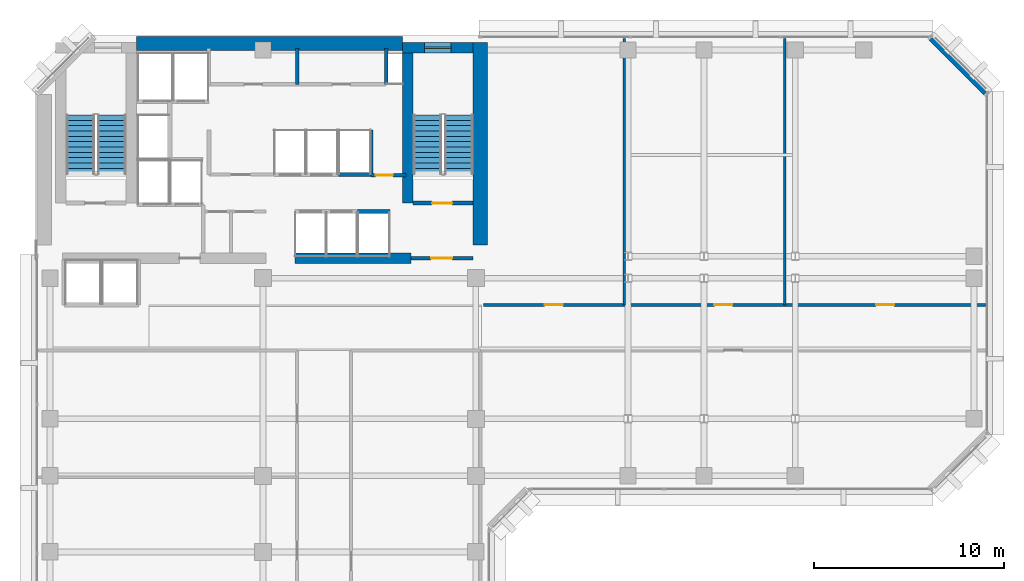
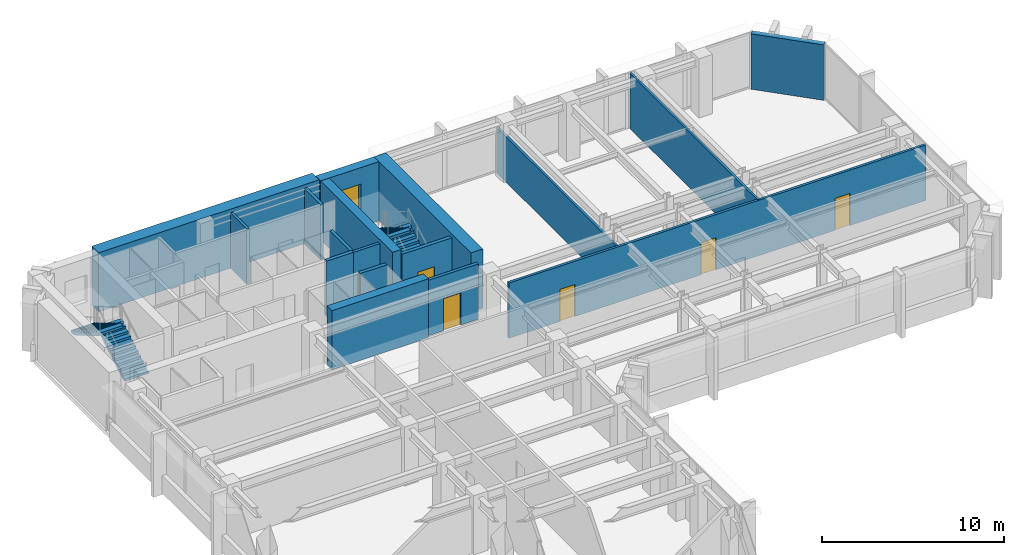
# One storey, part 8 of 11: 17 walls, 6 doors, 4 stair flights, 1 window, 7 openings, 2 elements without a shape of their own.
"""IFC4 building model written with IfcOpenShell, lengths in metres."""

from ifc_helpers import new_model, si_unit, direction, frame, frame_2d, origin, place, context, subcontext, project, spatial, polyline, rectangle, outline, extrude, material, layer, layer_set, type_object, element, fill, aggregate, save


model = new_model("IFC4")

# Units and contexts
model_context = context("Model", 3, precision=1e-05, world=origin(), true_north=direction((0.0, 1.0)))
body_context = subcontext(model_context, "Body", "Model", "MODEL_VIEW")
ifc_project = project(units=[si_unit("LENGTHUNIT", "METRE"), si_unit("AREAUNIT", "SQUARE_METRE"), si_unit("VOLUMEUNIT", "CUBIC_METRE"), si_unit("PLANEANGLEUNIT", "RADIAN"), si_unit("MASSUNIT", "GRAM", prefix="KILO")], contexts=[model_context])

# Site, building, storey
site_placement = place(None, origin())
site = spatial("IfcSite", under=ifc_project, at=site_placement, CompositionType="ELEMENT")
building_placement = place(site_placement, origin())
building = spatial("IfcBuilding", under=site, at=building_placement, Name="Kefirva Bronze Tower", CompositionType="ELEMENT")
storey_placement = place(building_placement, frame((0.0, 0.0, 162.68994140625)))
storey = spatial("IfcBuildingStorey", under=building, at=storey_placement, Name="L39", CompositionType="ELEMENT", Elevation=162.68994140625)

# Walls
ifc_material_1 = material(Name="Gypsum acoustic partition")
ifc_layer_1 = layer(ifc_material_1, 0.1298828125, Name="Gypsum acoustic partition")
ifc_layer_set_1 = layer_set([ifc_layer_1], Name="Gypsum acoustic partition")
wall_type_1 = type_object("IfcWallType", Name="Acoustic Office Partition 130mm", PredefinedType="PARTITIONING", material=ifc_layer_set_1)
wall_1_placement = place(storey_placement, frame((30.994873046875, 31.800048828125, 0.0), z_axis=(0.0, 0.0, 1.0), x_axis=(0.0, 1.0, 0.0)))
element("IfcWall", 1, at=wall_1_placement, inside=storey, type_object=wall_type_1, Name="L39 Partition W-L39-END1", PredefinedType="PARTITIONING", context=body_context, shape_type="SweptSolid", body=[
    extrude(rectangle(XDim=14.010009765625, YDim=0.1298828125, at=frame_2d((7.0048828125, 0.0))), origin(), (0.0, 0.0, 1.0), 3.045166015625),
])
wall_2_placement = place(storey_placement, frame((39.446044921875, 31.800048828125, 0.0), z_axis=(0.0, 0.0, 1.0), x_axis=(0.0, 1.0, 0.0)))
element("IfcWall", 2, at=wall_2_placement, inside=storey, type_object=wall_type_1, Name="L39 Partition W-L39-END2", PredefinedType="PARTITIONING", context=body_context, shape_type="SweptSolid", body=[
    extrude(rectangle(XDim=14.010009765625, YDim=0.1298828125, at=frame_2d((7.0048828125, 0.0))), origin(), (0.0, 0.0, 1.0), 3.7099609375),
])

# Wall, opening, door
ifc_material_2 = material(Name="Gypsum fireboard shaftwall")
ifc_layer_2 = layer(ifc_material_2, 0.219970703125, Name="Gypsum fireboard shaftwall")
ifc_layer_set_2 = layer_set([ifc_layer_2], Name="Gypsum fireboard shaftwall")
wall_type_2 = type_object("IfcWallType", Name="Fire-Rated Shaft Enclosure Wall 220mm", PredefinedType="PARTITIONING", material=ifc_layer_set_2)
wall_3_placement = place(storey_placement, frame((19.89990234375, 37.14990234375, 0.0), z_axis=(0.0, 0.0, 1.0), x_axis=(1.0, 0.0, 0.0)))
wall_3 = element("IfcWall", 3, at=wall_3_placement, inside=storey, type_object=wall_type_2, Name="L39 Partition W-L39-ST2S", PredefinedType="PARTITIONING", context=body_context, shape_type="SweptSolid", body=[
    extrude(rectangle(XDim=3.150146484375, YDim=0.219970703125, at=frame_2d((1.5751953125, 0.0))), origin(), (0.0, 0.0, 1.0), 3.7099609375),
])
opening_1_placement = place(wall_3_placement, frame((2.050048828125, 0.0, 0.0), z_axis=(0.0, 0.0, 1.0), x_axis=(-1.0, 0.0, 0.0)))
opening_1 = element("IfcOpeningElement", 4, at=opening_1_placement, cuts=wall_3, Name="Opening L39-D003", PredefinedType="OPENING", context=body_context, shape_type="SweptSolid", body=[
    extrude(rectangle(XDim=1.050048828125, YDim=2.14990234375, at=frame_2d((0.52490234375, 1.074951171875))), frame((0.0, 0.1201171875, 0.0), z_axis=(0.0, -1.0, 0.0), x_axis=(1.0, 0.0, 0.0)), (0.0, 0.0, 1.0), 0.239990234375),
])
ifc_material_3 = material(Name="Painted galvanized steel", Category="steel")
door_type_1 = type_object("IfcDoorType", Name="Fire Stair Enclosure Door 1050x2150 FD90S", OperationType="NOTDEFINED", PredefinedType="DOOR", material=ifc_material_3)
door_1_placement = place(opening_1_placement, origin())
door_1 = element("IfcDoor", 5, at=door_1_placement, inside=storey, type_object=door_type_1, Name="Door L39-D003", OperationType="SINGLE_SWING_LEFT", OverallHeight=2.14990234375, OverallWidth=1.050048828125, PredefinedType="DOOR", context=body_context, shape_type="SweptSolid", body=[
    extrude(rectangle(XDim=1.050048828125, YDim=2.14990234375, at=frame_2d((0.52490234375, 1.074951171875))), frame((0.0, 0.02490234375, 0.0), z_axis=(0.0, -1.0, 0.0), x_axis=(1.0, 0.0, 0.0)), (0.0, 0.0, 1.0), 0.050048828125),
])
fill(opening_1, door_1)

# Walls
wall_4_placement = place(storey_placement, frame((17.679931640625, 38.64990234375, 0.0), z_axis=(0.0, 0.0, 1.0), x_axis=(0.0, 1.0, 0.0)))
element("IfcWall", 6, at=wall_4_placement, inside=storey, type_object=wall_type_2, Name="L39 Partition W-L39-HP2E", PredefinedType="PARTITIONING", context=body_context, shape_type="SweptSolid", body=[
    extrude(rectangle(XDim=2.35009765625, YDim=0.199951171875, at=frame_2d((1.175048828125, 0.0))), origin(), (0.0, 0.0, 1.0), 3.7099609375),
])
wall_5_placement = place(storey_placement, frame((16.97998046875, 36.699951171875, 0.0), z_axis=(0.0, 0.0, 1.0), x_axis=(1.0, 0.0, 0.0)))
element("IfcWall", 7, at=wall_5_placement, inside=storey, type_object=wall_type_2, Name="L39 Partition W-L39-HPS", PredefinedType="PARTITIONING", context=body_context, shape_type="SweptSolid", body=[
    extrude(rectangle(XDim=1.699951171875, YDim=0.219970703125, at=frame_2d((0.85009765625, 0.0))), origin(), (0.0, 0.0, 1.0), 3.7099609375),
])
wall_6_placement = place(storey_placement, frame((15.97998046875, 38.64990234375, 0.0), z_axis=(0.0, 0.0, 1.0), x_axis=(1.0, 0.0, 0.0)))
element("IfcWall", 8, at=wall_6_placement, inside=storey, type_object=wall_type_2, Name="L39 Partition W-L39-HPN", PredefinedType="PARTITIONING", context=body_context, shape_type="SweptSolid", body=[
    extrude(rectangle(XDim=1.719970703125, YDim=0.219970703125, at=frame_2d((0.85986328125, 0.0))), origin(), (0.0, 0.0, 1.0), 3.7099609375),
])

# Wall, opening, door
ifc_material_4 = material(Name="Gypsum fireboard barrier")
ifc_layer_3 = layer(ifc_material_4, 0.199951171875, Name="Gypsum fireboard barrier")
ifc_layer_set_3 = layer_set([ifc_layer_3], Name="Gypsum fireboard barrier")
wall_type_3 = type_object("IfcWallType", Name="Firefighting Lobby Barrier Wall 200mm", PredefinedType="PARTITIONING", material=ifc_layer_set_3)
wall_7_placement = place(storey_placement, frame((19.800048828125, 34.25, 0.0), z_axis=(0.0, 0.0, 1.0), x_axis=(1.0, 0.0, 0.0)))
wall_7 = element("IfcWall", 9, at=wall_7_placement, inside=storey, type_object=wall_type_3, Name="L39 Partition W-L39-ST2F", PredefinedType="PARTITIONING", context=body_context, shape_type="SweptSolid", body=[
    extrude(rectangle(XDim=3.25, YDim=0.199951171875, at=frame_2d((1.625, 0.0))), origin(), (0.0, 0.0, 1.0), 3.7099609375),
])
opening_2_placement = place(wall_7_placement, frame((2.150146484375, 0.0, 0.0), z_axis=(0.0, 0.0, 1.0), x_axis=(-1.0, 0.0, 0.0)))
opening_2 = element("IfcOpeningElement", 10, at=opening_2_placement, cuts=wall_7, Name="Opening L39-D004", PredefinedType="OPENING", context=body_context, shape_type="SweptSolid", body=[
    extrude(rectangle(XDim=1.10009765625, YDim=2.14990234375, at=frame_2d((0.550048828125, 1.074951171875))), frame((0.0, 0.10986328125, 0.0), z_axis=(0.0, -1.0, 0.0), x_axis=(1.0, 0.0, 0.0)), (0.0, 0.0, 1.0), 0.219970703125),
])
door_type_2 = type_object("IfcDoorType", Name="Firefighting Lobby Smoke Door 1100x2150 FD60S", OperationType="NOTDEFINED", PredefinedType="DOOR", material=ifc_material_3)
door_2_placement = place(opening_2_placement, origin())
door_2 = element("IfcDoor", 11, at=door_2_placement, inside=storey, type_object=door_type_2, Name="Door L39-D004", OperationType="SINGLE_SWING_RIGHT", OverallHeight=2.14990234375, OverallWidth=1.10009765625, PredefinedType="DOOR", context=body_context, shape_type="SweptSolid", body=[
    extrude(rectangle(XDim=1.10009765625, YDim=2.14990234375, at=frame_2d((0.550048828125, 1.074951171875))), frame((0.0, 0.02490234375, 0.0), z_axis=(0.0, -1.0, 0.0), x_axis=(1.0, 0.0, 0.0)), (0.0, 0.0, 1.0), 0.050048828125),
])
fill(opening_2, door_2)

wall_8_placement = place(storey_placement, frame((17.679931640625, 38.6201171875, 0.0), z_axis=(0.0, 0.0, 1.0), x_axis=(1.0, 0.0, 0.0)))
wall_8 = element("IfcWall", 12, at=wall_8_placement, inside=storey, type_object=wall_type_3, Name="L39 Partition W-L39-CPASS", PredefinedType="PARTITIONING", context=body_context, shape_type="SweptSolid", body=[
    extrude(rectangle(XDim=1.840087890625, YDim=0.179931640625, at=frame_2d((0.919921875, 0.0))), origin(), (0.0, 0.0, 1.0), 3.7099609375),
])
opening_3_placement = place(wall_8_placement, frame((0.239990234375, 0.0, 0.0)))
opening_3 = element("IfcOpeningElement", 13, at=opening_3_placement, cuts=wall_8, Name="Opening L39-D-CPAS", PredefinedType="OPENING", context=body_context, shape_type="SweptSolid", body=[
    extrude(rectangle(XDim=0.919921875, YDim=2.10009765625, at=frame_2d((0.4599609375, 1.050048828125))), frame((0.0, 0.10009765625, 0.0), z_axis=(0.0, -1.0, 0.0), x_axis=(1.0, 0.0, 0.0)), (0.0, 0.0, 1.0), 0.199951171875),
])
ifc_material_5 = material(Name="Moisture-resistant timber", Category="wood")
door_type_3 = type_object("IfcDoorType", Name="Accessible Sanitary & WC Door 920x2100", OperationType="NOTDEFINED", PredefinedType="DOOR", material=ifc_material_5)
door_3_placement = place(opening_3_placement, origin())
door_3 = element("IfcDoor", 14, at=door_3_placement, inside=storey, type_object=door_type_3, Name="Door L39-D-CPAS", OperationType="SINGLE_SWING_LEFT", OverallHeight=2.10009765625, OverallWidth=0.919921875, PredefinedType="DOOR", context=body_context, shape_type="SweptSolid", body=[
    extrude(rectangle(XDim=0.919921875, YDim=2.10009765625, at=frame_2d((0.4599609375, 1.050048828125))), frame((0.0, 0.02490234375, 0.0), z_axis=(0.0, -1.0, 0.0), x_axis=(1.0, 0.0, 0.0)), (0.0, 0.0, 1.0), 0.050048828125),
])
fill(opening_3, door_3)

# Wall
ifc_material_6 = material(Name="Precast concrete C40/50", Category="concrete")
ifc_layer_4 = layer(ifc_material_6, 0.320068359375, Name="Precast concrete C40/50")
ifc_layer_set_4 = layer_set([ifc_layer_4], Name="Precast concrete C40/50")
wall_type_4 = type_object("IfcWallType", Name="Precast Insulated Exterior Wall 320mm", PredefinedType="SOLIDWALL", material=ifc_layer_set_4)
wall_9_placement = place(storey_placement, frame((50.048095703125, 42.92578125, 0.0), z_axis=(0.0, 0.0, 1.0), x_axis=(-0.707136318428, 0.707077242712, 0.0)))
element("IfcWall", 15, at=wall_9_placement, inside=storey, type_object=wall_type_4, Name="L39 Exterior Facade Wall 7", PredefinedType="SOLIDWALL", context=body_context, shape_type="SweptSolid", body=[
    extrude(rectangle(XDim=4.132568359375, YDim=0.320068359375, at=frame_2d((2.06640625, 0.0))), origin(), (0.0, 0.0, 1.0), 3.7099609375),
])

# Wall, openings, doors
ifc_layer_5 = layer(ifc_material_1, 0.159912109375, Name="Gypsum acoustic partition")
ifc_layer_set_5 = layer_set([ifc_layer_5], Name="Gypsum acoustic partition")
wall_type_5 = type_object("IfcWallType", Name="Protected Corridor Partition 160mm", PredefinedType="PARTITIONING", material=ifc_layer_set_5)
wall_10_placement = place(storey_placement, frame((23.60009765625, 31.800048828125, 0.0), z_axis=(0.0, 0.0, 1.0), x_axis=(1.0, 0.0, 0.0)))
wall_10 = element("IfcWall", 16, at=wall_10_placement, inside=storey, type_object=wall_type_5, Name="L39 Partition W-L39-EWN", PredefinedType="PARTITIONING", context=body_context, shape_type="SweptSolid", body=[
    extrude(rectangle(XDim=26.409912109375, YDim=0.159912109375, at=frame_2d((13.205078125, 0.0))), origin(), (0.0, 0.0, 1.0), 3.7099609375),
])
opening_4_placement = place(wall_10_placement, frame((3.222412109375, 0.0, 0.0)))
opening_4 = element("IfcOpeningElement", 17, at=opening_4_placement, cuts=wall_10, Name="Opening L39-D-EN1", PredefinedType="OPENING", context=body_context, shape_type="SweptSolid", body=[
    extrude(rectangle(XDim=0.949951171875, YDim=2.14990234375, at=frame_2d((0.47509765625, 1.074951171875))), frame((0.0, 0.08984375, 0.0), z_axis=(0.0, -1.0, 0.0), x_axis=(1.0, 0.0, 0.0)), (0.0, 0.0, 1.0), 0.179931640625),
])
opening_5_placement = place(wall_10_placement, frame((12.1455078125, 0.0, 0.0)))
opening_5 = element("IfcOpeningElement", 18, at=opening_5_placement, cuts=wall_10, Name="Opening L39-D-EN2", PredefinedType="OPENING", context=body_context, shape_type="SweptSolid", body=[
    extrude(rectangle(XDim=0.949951171875, YDim=2.14990234375, at=frame_2d((0.47509765625, 1.074951171875))), frame((0.0, 0.08984375, 0.0), z_axis=(0.0, -1.0, 0.0), x_axis=(1.0, 0.0, 0.0)), (0.0, 0.0, 1.0), 0.179931640625),
])
opening_6_placement = place(wall_10_placement, frame((20.653076171875, 0.0, 0.0)))
opening_6 = element("IfcOpeningElement", 19, at=opening_6_placement, cuts=wall_10, Name="Opening L39-D-EN3", PredefinedType="OPENING", context=body_context, shape_type="SweptSolid", body=[
    extrude(rectangle(XDim=0.949951171875, YDim=2.14990234375, at=frame_2d((0.47509765625, 1.074951171875))), frame((0.0, 0.08984375, 0.0), z_axis=(0.0, -1.0, 0.0), x_axis=(1.0, 0.0, 0.0)), (0.0, 0.0, 1.0), 0.179931640625),
])
ifc_material_7 = material(Name="Acoustic hardwood oak", Category="wood")
door_type_4 = type_object("IfcDoorType", Name="Office & Meeting Room Door 950x2150", OperationType="NOTDEFINED", PredefinedType="DOOR", material=ifc_material_7)
door_4_placement = place(opening_4_placement, origin())
door_4 = element("IfcDoor", 20, at=door_4_placement, inside=storey, type_object=door_type_4, Name="Door L39-D-EN1", OperationType="SINGLE_SWING_RIGHT", OverallHeight=2.14990234375, OverallWidth=0.949951171875, PredefinedType="DOOR", context=body_context, shape_type="SweptSolid", body=[
    extrude(rectangle(XDim=0.949951171875, YDim=2.14990234375, at=frame_2d((0.47509765625, 1.074951171875))), frame((0.0, 0.02490234375, 0.0), z_axis=(0.0, -1.0, 0.0), x_axis=(1.0, 0.0, 0.0)), (0.0, 0.0, 1.0), 0.050048828125),
])
fill(opening_4, door_4)
door_5_placement = place(opening_5_placement, origin())
door_5 = element("IfcDoor", 21, at=door_5_placement, inside=storey, type_object=door_type_4, Name="Door L39-D-EN2", OperationType="SINGLE_SWING_LEFT", OverallHeight=2.14990234375, OverallWidth=0.949951171875, PredefinedType="DOOR", context=body_context, shape_type="SweptSolid", body=[
    extrude(rectangle(XDim=0.949951171875, YDim=2.14990234375, at=frame_2d((0.47509765625, 1.074951171875))), frame((0.0, 0.02490234375, 0.0), z_axis=(0.0, -1.0, 0.0), x_axis=(1.0, 0.0, 0.0)), (0.0, 0.0, 1.0), 0.050048828125),
])
fill(opening_5, door_5)
door_6_placement = place(opening_6_placement, origin())
door_6 = element("IfcDoor", 22, at=door_6_placement, inside=storey, type_object=door_type_4, Name="Door L39-D-EN3", OperationType="SINGLE_SWING_RIGHT", OverallHeight=2.14990234375, OverallWidth=0.949951171875, PredefinedType="DOOR", context=body_context, shape_type="SweptSolid", body=[
    extrude(rectangle(XDim=0.949951171875, YDim=2.14990234375, at=frame_2d((0.47509765625, 1.074951171875))), frame((0.0, 0.02490234375, 0.0), z_axis=(0.0, -1.0, 0.0), x_axis=(1.0, 0.0, 0.0)), (0.0, 0.0, 1.0), 0.050048828125),
])
fill(opening_6, door_6)

# Wall, opening, window
ifc_material_8 = material(Name="Concrete C50/60", Category="concrete")
ifc_layer_6 = layer(ifc_material_8, 0.550048828125, Name="Concrete C50/60")
ifc_layer_set_6 = layer_set([ifc_layer_6], Name="Concrete C50/60")
wall_type_6 = type_object("IfcWallType", Name="RC Rear Core Exterior Wall 550mm", PredefinedType="SHEAR", material=ifc_layer_set_6)
wall_11_placement = place(storey_placement, frame((19.35009765625, 45.320068359375, 0.0), z_axis=(0.0, 0.0, 1.0), x_axis=(1.0, 0.0, 0.0)))
wall_11 = element("IfcWall", 23, at=wall_11_placement, inside=storey, type_object=wall_type_6, Name="L39 Stair 2 North Shear Wall", PredefinedType="SHEAR", context=body_context, shape_type="SweptSolid", body=[
    extrude(rectangle(XDim=3.68994140625, YDim=0.550048828125, at=frame_2d((1.844970703125, 0.0))), origin(), (0.0, 0.0, 1.0), 3.9599609375),
])
opening_7_placement = place(wall_11_placement, frame((1.14990234375, 0.0, 1.050048828125)))
opening_7 = element("IfcOpeningElement", 24, at=opening_7_placement, cuts=wall_11, Name="Opening WN-03", PredefinedType="OPENING", context=body_context, shape_type="SweptSolid", body=[
    extrude(rectangle(XDim=1.39990234375, YDim=1.800048828125, at=frame_2d((0.699951171875, 0.89990234375))), frame((0.0, 0.28515625, 0.0), z_axis=(0.0, -1.0, 0.0), x_axis=(1.0, 0.0, 0.0)), (0.0, 0.0, 1.0), 0.570068359375),
])
ifc_material_9 = material(Name="Laminated low-E double glazing", Category="glass")
window_type = type_object("IfcWindowType", Name="Rear-Core Stair Daylight Window 1400x1800", PartitioningType="SINGLE_PANEL", PredefinedType="WINDOW", material=ifc_material_9)
window_placement = place(opening_7_placement, origin())
window = element("IfcWindow", 25, at=window_placement, inside=storey, type_object=window_type, Name="L39 Stair 2 Daylight Window", OverallHeight=1.800048828125, OverallWidth=1.39990234375, PartitioningType="SINGLE_PANEL", PredefinedType="WINDOW", context=body_context, shape_type="SweptSolid", body=[
    extrude(rectangle(XDim=1.39990234375, YDim=1.800048828125, at=frame_2d((0.699951171875, 0.89990234375))), frame((0.0, 0.030029296875, 0.0), z_axis=(0.0, -1.0, 0.0), x_axis=(1.0, 0.0, 0.0)), (0.0, 0.0, 1.0), 0.06005859375),
])
fill(opening_7, window)

# Walls
ifc_material_10 = material(Name="Concrete C60/75", Category="concrete")
ifc_layer_7 = layer(ifc_material_10, 0.75, Name="Concrete C60/75")
ifc_layer_set_7 = layer_set([ifc_layer_7], Name="Concrete C60/75")
wall_type_7 = type_object("IfcWallType", Name="RC Rear Core Exterior Wall 750mm", PredefinedType="SHEAR", material=ifc_layer_set_7)
wall_12_placement = place(storey_placement, frame((5.360107421875, 45.550048828125, 0.0), z_axis=(0.0, 0.0, 1.0), x_axis=(1.0, 0.0, 0.0)))
element("IfcWall", 26, at=wall_12_placement, inside=storey, type_object=wall_type_7, Name="L39 Rear Core North Shear Wall", PredefinedType="SHEAR", context=body_context, shape_type="SweptSolid", body=[
    extrude(rectangle(XDim=13.97998046875, YDim=0.75, at=frame_2d((6.989990234375, 0.0))), origin(), (0.0, 0.0, 1.0), 3.9599609375),
])
ifc_layer_8 = layer(ifc_material_8, 0.550048828125, Name="Concrete C50/60")
ifc_layer_set_8 = layer_set([ifc_layer_8], Name="Concrete C50/60")
wall_type_8 = type_object("IfcWallType", Name="RC Rear Core Interior Wall 550mm", PredefinedType="SHEAR", material=ifc_layer_set_8)
wall_13_placement = place(storey_placement, frame((19.6201171875, 37.14990234375, 0.0), z_axis=(0.0, 0.0, 1.0), x_axis=(0.0, 1.0, 0.0)))
element("IfcWall", 27, at=wall_13_placement, inside=storey, type_object=wall_type_8, Name="L39 Stair 2 West Shear Wall", PredefinedType="SHEAR", context=body_context, shape_type="SweptSolid", body=[
    extrude(rectangle(XDim=7.89013671875, YDim=0.550048828125, at=frame_2d((3.945068359375, 0.0))), origin(), (0.0, 0.0, 1.0), 3.9599609375),
])
ifc_layer_9 = layer(ifc_material_10, 0.75, Name="Concrete C60/75")
ifc_layer_set_9 = layer_set([ifc_layer_9], Name="Concrete C60/75")
wall_type_9 = type_object("IfcWallType", Name="RC Rear Core Interior Wall 750mm", PredefinedType="SHEAR", material=ifc_layer_set_9)
wall_14_placement = place(storey_placement, frame((23.425048828125, 34.949951171875, 0.0), z_axis=(0.0, 0.0, 1.0), x_axis=(0.0, 1.0, 0.0)))
element("IfcWall", 28, at=wall_14_placement, inside=storey, type_object=wall_type_9, Name="L39 Rear Core East Shear Wall", PredefinedType="SHEAR", context=body_context, shape_type="SweptSolid", body=[
    extrude(rectangle(XDim=10.64013671875, YDim=0.75, at=frame_2d((5.320068359375, 0.0))), origin(), (0.0, 0.0, 1.0), 3.9599609375),
])
wall_15_placement = place(storey_placement, frame((13.679931640625, 34.25, 0.0), z_axis=(0.0, 0.0, 1.0), x_axis=(1.0, 0.0, 0.0)))
element("IfcWall", 29, at=wall_15_placement, inside=storey, type_object=wall_type_9, Name="L39 Rear Core South-East Shear Wall", PredefinedType="SHEAR", context=body_context, shape_type="SweptSolid", body=[
    extrude(rectangle(XDim=6.1201171875, YDim=0.550048828125, at=frame_2d((3.06005859375, 0.0))), origin(), (0.0, 0.0, 1.0), 3.9599609375),
])
ifc_material_11 = material(Name="Moisture-resistant partition")
ifc_layer_10 = layer(ifc_material_11, 0.179931640625, Name="Moisture-resistant partition")
ifc_layer_set_10 = layer_set([ifc_layer_10], Name="Moisture-resistant partition")
wall_type_10 = type_object("IfcWallType", Name="Sanitary Plumbing Chase Wall 180mm", PredefinedType="PLUMBINGWALL", material=ifc_layer_set_10)
for number, where, z_axis, x_axis, name in (
    (30, (18.47998046875, 43.39990234375, 0.0), (0.0, 0.0, 1.0), (0.0, 1.0, 0.0), "L39 Partition W-L39-SVCE"),
    (31, (13.800048828125, 43.39990234375, 0.0), (0.0, 0.0, 1.0), (0.0, 1.0, 0.0), "L39 Partition W-L39-CSVD-1"),
):
    element("IfcWall", number, at=place(storey_placement, frame(where, z_axis=z_axis, x_axis=x_axis)), inside=storey, type_object=wall_type_10, Name=name, PredefinedType="PLUMBINGWALL", context=body_context, shape_type="SweptSolid", body=[
        extrude(rectangle(XDim=1.880126953125, YDim=0.179931640625, at=frame_2d((0.93994140625, 0.0))), origin(), (0.0, 0.0, 1.0), 3.7099609375),
    ])

# Stair, stair flights
ifc_material_12 = material(Name="Concrete C40/50", Category="concrete")
stair_type = type_object("IfcStairType", Name="RC Dogleg Protected Stair 24R", PredefinedType="HALF_TURN_STAIR", material=ifc_material_12)
stair_1_placement = place(storey_placement, origin())
stair_1 = element("IfcStair", 32, at=stair_1_placement, inside=storey, type_object=stair_type, Name="L39 Protected Exit Stair 1", PredefinedType="HALF_TURN_STAIR")
stair_flight_type = type_object("IfcStairFlightType", Name="RC Straight Stair Flight 24R", PredefinedType="STRAIGHT", material=ifc_material_12)
stair_flight_1_placement = place(storey_placement, frame((4.050048828125, 38.699951171875, 0.0), z_axis=(0.0, 0.0, 1.0), x_axis=(0.0, 1.0, 0.0)))
stair_flight_1 = element("IfcStairFlight", 33, at=stair_flight_1_placement, type_object=stair_flight_type, Name="ST-1 flight 1", NumberOfRisers=12, NumberOfTreads=11, PredefinedType="STRAIGHT", RiserHeight=0.165, TreadLength=0.28, context=body_context, shape_type="SweptSolid", body=[
    extrude(outline(polyline([(0.0, 0.0), (0.0, 0.1650390625), (0.280029296875, 0.1650390625), (0.280029296875, 0.330078125), (0.56005859375, 0.330078125), (0.56005859375, 0.4951171875), (0.840087890625, 0.4951171875), (0.840087890625, 0.659912109375), (1.1201171875, 0.659912109375), (1.1201171875, 0.824951171875), (1.39990234375, 0.824951171875), (1.39990234375, 0.989990234375), (1.679931640625, 0.989990234375), (1.679931640625, 1.155029296875), (1.9599609375, 1.155029296875), (1.9599609375, 1.320068359375), (2.239990234375, 1.320068359375), (2.239990234375, 1.485107421875), (2.52001953125, 1.485107421875), (2.52001953125, 1.64990234375), (2.800048828125, 1.64990234375), (2.800048828125, 1.81494140625), (3.080078125, 1.81494140625), (3.080078125, 1.97998046875), (3.080078125, 1.64111328125), (0.295166015625, 0.0), (0.0, 0.0)])), frame((0.0, 0.75, 0.0), z_axis=(0.0, -1.0, 0.0), x_axis=(1.0, 0.0, 0.0)), (0.0, 0.0, 1.0), 1.5),
])
stair_flight_2_placement = place(storey_placement, frame((2.39990234375, 41.780029296875, 1.97998046875), z_axis=(0.0, 0.0, 1.0), x_axis=(0.0, -1.0, 0.0)))
stair_flight_2 = element("IfcStairFlight", 34, at=stair_flight_2_placement, type_object=stair_flight_type, Name="ST-1 flight 2", NumberOfRisers=12, NumberOfTreads=11, PredefinedType="STRAIGHT", RiserHeight=0.165, TreadLength=0.28, context=body_context, shape_type="SweptSolid", body=[
    extrude(outline(polyline([(0.0, 0.0), (0.0, 0.1650390625), (0.280029296875, 0.1650390625), (0.280029296875, 0.330078125), (0.56005859375, 0.330078125), (0.56005859375, 0.4951171875), (0.840087890625, 0.4951171875), (0.840087890625, 0.659912109375), (1.1201171875, 0.659912109375), (1.1201171875, 0.824951171875), (1.39990234375, 0.824951171875), (1.39990234375, 0.989990234375), (1.679931640625, 0.989990234375), (1.679931640625, 1.155029296875), (1.9599609375, 1.155029296875), (1.9599609375, 1.320068359375), (2.239990234375, 1.320068359375), (2.239990234375, 1.485107421875), (2.52001953125, 1.485107421875), (2.52001953125, 1.64990234375), (2.800048828125, 1.64990234375), (2.800048828125, 1.81494140625), (3.080078125, 1.81494140625), (3.080078125, 1.97998046875), (3.080078125, 1.64111328125), (0.295166015625, 0.0), (0.0, 0.0)])), frame((0.0, 0.75, 0.0), z_axis=(0.0, -1.0, 0.0), x_axis=(1.0, 0.0, 0.0)), (0.0, 0.0, 1.0), 1.5),
])
aggregate(stair_1, [stair_flight_1, stair_flight_2])

stair_2_placement = place(storey_placement, origin())
stair_2 = element("IfcStair", 35, at=stair_2_placement, inside=storey, type_object=stair_type, Name="L39 Protected Exit Stair 2", PredefinedType="HALF_TURN_STAIR")
stair_flight_3_placement = place(storey_placement, frame((22.300048828125, 38.699951171875, 0.0), z_axis=(0.0, 0.0, 1.0), x_axis=(0.0, 1.0, 0.0)))
stair_flight_3 = element("IfcStairFlight", 36, at=stair_flight_3_placement, type_object=stair_flight_type, Name="ST-2 flight 1", NumberOfRisers=12, NumberOfTreads=11, PredefinedType="STRAIGHT", RiserHeight=0.165, TreadLength=0.28, context=body_context, shape_type="SweptSolid", body=[
    extrude(outline(polyline([(0.0, 0.0), (0.0, 0.1650390625), (0.280029296875, 0.1650390625), (0.280029296875, 0.330078125), (0.56005859375, 0.330078125), (0.56005859375, 0.4951171875), (0.840087890625, 0.4951171875), (0.840087890625, 0.659912109375), (1.1201171875, 0.659912109375), (1.1201171875, 0.824951171875), (1.39990234375, 0.824951171875), (1.39990234375, 0.989990234375), (1.679931640625, 0.989990234375), (1.679931640625, 1.155029296875), (1.9599609375, 1.155029296875), (1.9599609375, 1.320068359375), (2.239990234375, 1.320068359375), (2.239990234375, 1.485107421875), (2.52001953125, 1.485107421875), (2.52001953125, 1.64990234375), (2.800048828125, 1.64990234375), (2.800048828125, 1.81494140625), (3.080078125, 1.81494140625), (3.080078125, 1.97998046875), (3.080078125, 1.64111328125), (0.295166015625, 0.0), (0.0, 0.0)])), frame((0.0, 0.75, 0.0), z_axis=(0.0, -1.0, 0.0), x_axis=(1.0, 0.0, 0.0)), (0.0, 0.0, 1.0), 1.5),
])
stair_flight_4_placement = place(storey_placement, frame((20.64990234375, 41.780029296875, 1.97998046875), z_axis=(0.0, 0.0, 1.0), x_axis=(0.0, -1.0, 0.0)))
stair_flight_4 = element("IfcStairFlight", 37, at=stair_flight_4_placement, type_object=stair_flight_type, Name="ST-2 flight 2", NumberOfRisers=12, NumberOfTreads=11, PredefinedType="STRAIGHT", RiserHeight=0.165, TreadLength=0.28, context=body_context, shape_type="SweptSolid", body=[
    extrude(outline(polyline([(0.0, 0.0), (0.0, 0.1650390625), (0.280029296875, 0.1650390625), (0.280029296875, 0.330078125), (0.56005859375, 0.330078125), (0.56005859375, 0.4951171875), (0.840087890625, 0.4951171875), (0.840087890625, 0.659912109375), (1.1201171875, 0.659912109375), (1.1201171875, 0.824951171875), (1.39990234375, 0.824951171875), (1.39990234375, 0.989990234375), (1.679931640625, 0.989990234375), (1.679931640625, 1.155029296875), (1.9599609375, 1.155029296875), (1.9599609375, 1.320068359375), (2.239990234375, 1.320068359375), (2.239990234375, 1.485107421875), (2.52001953125, 1.485107421875), (2.52001953125, 1.64990234375), (2.800048828125, 1.64990234375), (2.800048828125, 1.81494140625), (3.080078125, 1.81494140625), (3.080078125, 1.97998046875), (3.080078125, 1.64111328125), (0.295166015625, 0.0), (0.0, 0.0)])), frame((0.0, 0.75, 0.0), z_axis=(0.0, -1.0, 0.0), x_axis=(1.0, 0.0, 0.0)), (0.0, 0.0, 1.0), 1.5),
])
aggregate(stair_2, [stair_flight_3, stair_flight_4])

save(model, "model.ifc")
